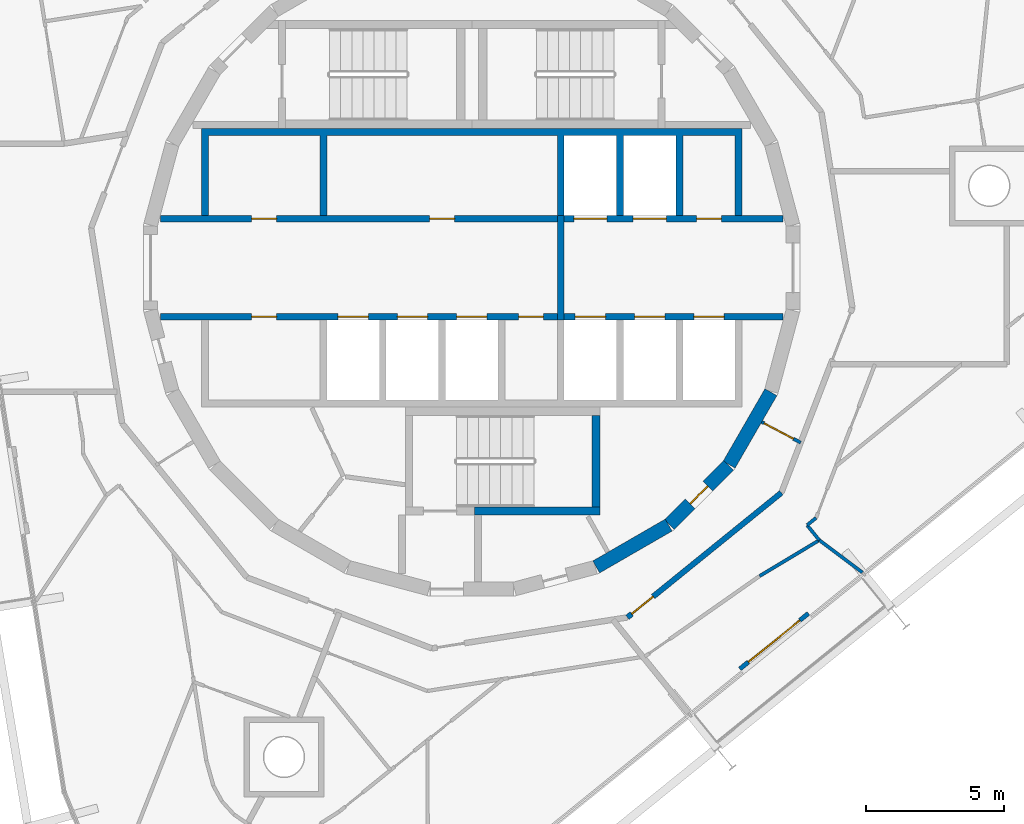
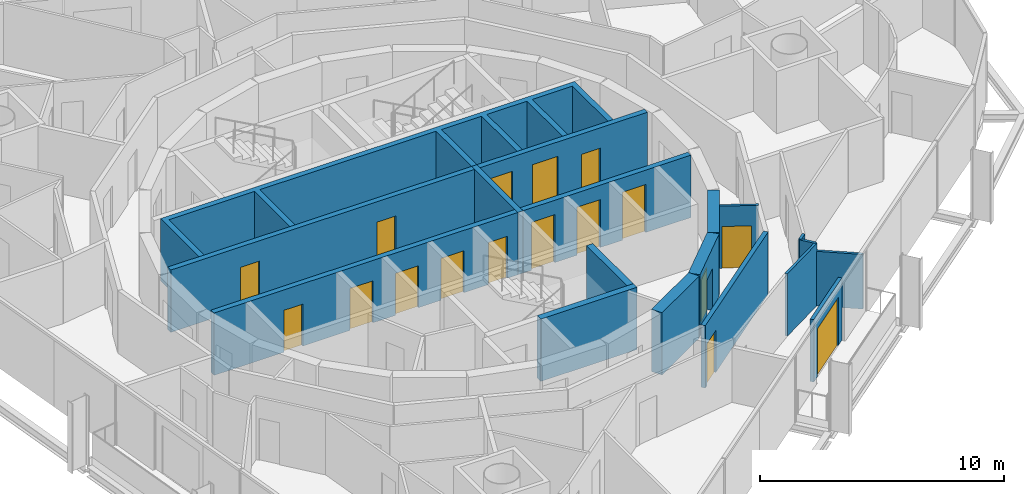
# One storey, part 13 of 18: 18 walls, 17 doors, 17 openings.
"""IFC4 building model written with IfcOpenShell, lengths in metres."""

from ifc_helpers import new_model, si_unit, direction, frame, frame_2d, origin, place, context, subcontext, project, spatial, polyline, rectangle, outline, extrude, material, layer, layer_set, type_object, element, fill, save


model = new_model("IFC4")

# Units and contexts
model_context = context("Model", 3, precision=1e-05, world=origin(), true_north=direction((0.0, 1.0)))
body_context = subcontext(model_context, "Body", "Model", "MODEL_VIEW")
ifc_project = project(units=[si_unit("LENGTHUNIT", "METRE"), si_unit("AREAUNIT", "SQUARE_METRE"), si_unit("VOLUMEUNIT", "CUBIC_METRE"), si_unit("PLANEANGLEUNIT", "RADIAN"), si_unit("MASSUNIT", "GRAM", prefix="KILO")], contexts=[model_context])

# Site, building, storey
site_placement = place(None, origin())
site = spatial("IfcSite", under=ifc_project, at=site_placement, CompositionType="ELEMENT")
building_placement = place(site_placement, origin())
building = spatial("IfcBuilding", under=site, at=building_placement, Name="Spindle Arch Residences", CompositionType="ELEMENT")
storey_placement = place(building_placement, frame((0.0, 0.0, 280.89990234375)))
storey = spatial("IfcBuildingStorey", under=building, at=storey_placement, Name="L72", CompositionType="ELEMENT", Elevation=280.89990234375)

# Wall
ifc_material_1 = material(Name="Concrete C50/60", Category="concrete")
ifc_layer_1 = layer(ifc_material_1, 0.5)
ifc_layer_set_1 = layer_set([ifc_layer_1], Name="Core outline wall 500")
wall_type_1 = type_object("IfcWallType", Name="Core outline wall 500", PredefinedType="SHEAR", material=ifc_layer_set_1)
wall_1_placement = place(storey_placement, frame((4.510498046875, -10.84521484375, 0.0), z_axis=(0.0, 0.0, 1.0), x_axis=(0.865975092491, 0.500087131594, 0.0)))
element("IfcWall", 1, at=wall_1_placement, inside=storey, type_object=wall_type_1, Name="Core outline wall 2", PredefinedType="SHEAR", context=body_context, shape_type="SweptSolid", body=[
    extrude(rectangle(XDim=3.03271484375, YDim=0.5, at=frame_2d((1.516357421875, 0.0))), origin(), (0.0, 0.0, 1.0), 3.1201171875),
])

# Wall, opening, door
wall_2_placement = place(storey_placement, frame((7.163818359375, -9.30810546875, 0.0), z_axis=(0.0, 0.0, 1.0), x_axis=(0.707106781187, 0.707106781187, 0.0)))
wall_2 = element("IfcWall", 2, at=wall_2_placement, inside=storey, type_object=wall_type_1, Name="Core outline wall 3", PredefinedType="SHEAR", context=body_context, shape_type="SweptSolid", body=[
    extrude(rectangle(XDim=3.032470703125, YDim=0.5, at=frame_2d((1.51611328125, 0.0))), origin(), (0.0, 0.0, 1.0), 3.1201171875),
])
opening_1_placement = place(wall_2_placement, frame((1.06640625, 0.0, 0.0)))
opening_1 = element("IfcOpeningElement", 3, at=opening_1_placement, cuts=wall_2, Name="Opening R7B1-WD08", PredefinedType="OPENING", context=body_context, shape_type="SweptSolid", body=[
    extrude(rectangle(XDim=0.89990234375, YDim=2.10009765625, at=frame_2d((0.449951171875, 1.050048828125))), frame((0.0, 0.260009765625, 0.0), z_axis=(0.0, -1.0, 0.0), x_axis=(1.0, 0.0, 0.0)), (0.0, 0.0, 1.0), 0.52001953125),
])
ifc_material_2 = material(Name="Steel, fire-resisting door", Category="steel")
door_type_1 = type_object("IfcDoorType", Name="Service room door 900x2100", OperationType="SINGLE_SWING_LEFT", PredefinedType="DOOR", material=ifc_material_2)
door_1_placement = place(opening_1_placement, origin())
door_1 = element("IfcDoor", 4, at=door_1_placement, inside=storey, type_object=door_type_1, Name="Service room door R7B1-WD08", OperationType="SINGLE_SWING_RIGHT", OverallHeight=2.10009765625, OverallWidth=0.89990234375, PredefinedType="DOOR", context=body_context, shape_type="SweptSolid", body=[
    extrude(rectangle(XDim=0.89990234375, YDim=2.10009765625, at=frame_2d((0.449951171875, 1.050048828125))), frame((0.0, 0.02490234375, 0.0), z_axis=(0.0, -1.0, 0.0), x_axis=(1.0, 0.0, 0.0)), (0.0, 0.0, 1.0), 0.050048828125),
])
fill(opening_1, door_1)

# Wall
wall_3_placement = place(storey_placement, frame((9.32861328125, -7.13671875, 0.0), z_axis=(0.0, 0.0, 1.0), x_axis=(0.500087131594, 0.865975092491, 0.0)))
element("IfcWall", 5, at=wall_3_placement, inside=storey, type_object=wall_type_1, Name="Core outline wall 4", PredefinedType="SHEAR", context=body_context, shape_type="SweptSolid", body=[
    extrude(rectangle(XDim=3.03271484375, YDim=0.5, at=frame_2d((1.516357421875, 0.0))), origin(), (0.0, 0.0, 1.0), 3.1201171875),
])

# Wall, opening, door
ifc_material_3 = material(Name="Plasterboard on steel studs", Category="steel")
ifc_layer_2 = layer(ifc_material_3, 0.1201171875)
ifc_layer_set_2 = layer_set([ifc_layer_2], Name="Corridor division wall 120")
wall_type_2 = type_object("IfcWallType", Name="Corridor division wall 120", PredefinedType="PARTITIONING", material=ifc_layer_set_2)
wall_4_placement = place(storey_placement, frame((10.510986328125, -5.5888671875, 0.0), z_axis=(0.0, 0.0, 1.0), x_axis=(0.882983002821, -0.469404960273, 0.0)))
wall_4 = element("IfcWall", 6, at=wall_4_placement, inside=storey, type_object=wall_type_2, Name="Corridor division wall R7B1-W002", PredefinedType="PARTITIONING", context=body_context, shape_type="SweptSolid", body=[
    extrude(rectangle(XDim=1.59619140625, YDim=0.1201171875, at=frame_2d((0.798095703125, 0.0))), origin(), (0.0, 0.0, 1.0), 3.1201171875),
])
opening_2_placement = place(wall_4_placement, frame((0.10009765625, 0.0, 0.0)))
opening_2 = element("IfcOpeningElement", 7, at=opening_2_placement, cuts=wall_4, Name="Opening R7B1-CD02", PredefinedType="OPENING", context=body_context, shape_type="SweptSolid", body=[
    extrude(rectangle(XDim=1.199951171875, YDim=2.10009765625, at=frame_2d((0.60009765625, 1.050048828125))), frame((0.0, 0.070068359375, 0.0), z_axis=(0.0, -1.0, 0.0), x_axis=(1.0, 0.0, 0.0)), (0.0, 0.0, 1.0), 0.14013671875),
])
ifc_material_4 = material(Name="Steel, fire-resisting door", Category="steel")
door_type_2 = type_object("IfcDoorType", Name="Corridor division door 1200x2100", OperationType="NOTDEFINED", PredefinedType="DOOR", material=ifc_material_4)
door_2_placement = place(opening_2_placement, origin())
door_2 = element("IfcDoor", 8, at=door_2_placement, inside=storey, type_object=door_type_2, Name="Corridor division door R7B1-CD02", OperationType="DOUBLE_DOOR_SINGLE_SWING", OverallHeight=2.10009765625, OverallWidth=1.199951171875, PredefinedType="DOOR", context=body_context, shape_type="SweptSolid", body=[
    extrude(rectangle(XDim=1.199951171875, YDim=2.10009765625, at=frame_2d((0.60009765625, 1.050048828125))), frame((0.0, 0.02490234375, 0.0), z_axis=(0.0, -1.0, 0.0), x_axis=(1.0, 0.0, 0.0)), (0.0, 0.0, 1.0), 0.050048828125),
])
fill(opening_2, door_2)

ifc_material_5 = material(Name="Calcium silicate block, plastered")
ifc_layer_3 = layer(ifc_material_5, 0.199951171875)
ifc_layer_set_3 = layer_set([ifc_layer_3], Name="Corridor wall 200")
wall_type_3 = type_object("IfcWallType", Name="Corridor wall 200", PredefinedType="STANDARD", material=ifc_layer_set_3)
wall_5_placement = place(storey_placement, frame((5.642578125, -12.67333984375, 0.0), z_axis=(0.0, 0.0, 1.0), x_axis=(0.777160148113, 0.629302871585, 0.0)))
wall_5 = element("IfcWall", 9, at=wall_5_placement, inside=storey, type_object=wall_type_3, Name="Corridor wall R7B1-W015", PredefinedType="STANDARD", context=body_context, shape_type="SweptSolid", body=[
    extrude(rectangle(XDim=7.180908203125, YDim=0.199951171875, at=frame_2d((3.59033203125, 0.0))), origin(), (0.0, 0.0, 1.0), 3.1201171875),
])
opening_3_placement = place(wall_5_placement, frame((0.199951171875, 0.0, 0.0)))
opening_3 = element("IfcOpeningElement", 10, at=opening_3_placement, cuts=wall_5, Name="Opening R7B1-FD06", PredefinedType="OPENING", context=body_context, shape_type="SweptSolid", body=[
    extrude(rectangle(XDim=1.0, YDim=2.10009765625, at=frame_2d((0.5, 1.050048828125))), frame((0.0, 0.10986328125, 0.0), z_axis=(0.0, -1.0, 0.0), x_axis=(1.0, 0.0, 0.0)), (0.0, 0.0, 1.0), 0.219970703125),
])
ifc_material_6 = material(Name="Timber, fire-resisting door set", Category="wood")
door_type_3 = type_object("IfcDoorType", Name="Flat entrance door 1000x2100", OperationType="NOTDEFINED", PredefinedType="DOOR", material=ifc_material_6)
door_3_placement = place(opening_3_placement, origin())
door_3 = element("IfcDoor", 11, at=door_3_placement, inside=storey, type_object=door_type_3, Name="Flat entrance door R7B1-FD06", OperationType="SINGLE_SWING_LEFT", OverallHeight=2.10009765625, OverallWidth=1.0, PredefinedType="DOOR", context=body_context, shape_type="SweptSolid", body=[
    extrude(rectangle(XDim=1.0, YDim=2.10009765625, at=frame_2d((0.5, 1.050048828125))), frame((0.0, 0.02490234375, 0.0), z_axis=(0.0, -1.0, 0.0), x_axis=(1.0, 0.0, 0.0)), (0.0, 0.0, 1.0), 0.050048828125),
])
fill(opening_3, door_3)

# Wall, openings, doors
ifc_material_7 = material(Name="Concrete C40/50", Category="concrete")
ifc_layer_4 = layer(ifc_material_7, 0.25)
ifc_layer_set_4 = layer_set([ifc_layer_4], Name="Fire-lift lobby wall 250")
wall_type_4 = type_object("IfcWallType", Name="Fire-lift lobby wall 250", PredefinedType="SHEAR", material=ifc_layer_set_4)
wall_6_placement = place(storey_placement, frame((3.35009765625, 1.77490234375, 0.0), z_axis=(0.0, 0.0, 1.0), x_axis=(1.0, 0.0, 0.0)))
wall_6 = element("IfcWall", 12, at=wall_6_placement, inside=storey, type_object=wall_type_4, Name="Lift shaft front wall NE", PredefinedType="SHEAR", context=body_context, shape_type="SweptSolid", body=[
    extrude(rectangle(XDim=7.929931640625, YDim=0.25, at=frame_2d((3.96484375, 0.0))), origin(), (0.0, 0.0, 1.0), 3.1201171875),
])
opening_4_placement = place(wall_6_placement, frame((0.35009765625, 0.0, 0.0)))
opening_4 = element("IfcOpeningElement", 13, at=opening_4_placement, cuts=wall_6, Name="Opening R7B1-SLD01", PredefinedType="OPENING", context=body_context, shape_type="SweptSolid", body=[
    extrude(rectangle(XDim=1.199951171875, YDim=2.39990234375, at=frame_2d((0.60009765625, 1.199951171875))), frame((0.0, 0.135009765625, 0.0), z_axis=(0.0, -1.0, 0.0), x_axis=(1.0, 0.0, 0.0)), (0.0, 0.0, 1.0), 0.27001953125),
])
opening_5_placement = place(wall_6_placement, frame((2.5, 0.0, 0.0)))
opening_5 = element("IfcOpeningElement", 14, at=opening_5_placement, cuts=wall_6, Name="Opening R7B1-SLD02", PredefinedType="OPENING", context=body_context, shape_type="SweptSolid", body=[
    extrude(rectangle(XDim=1.199951171875, YDim=2.39990234375, at=frame_2d((0.60009765625, 1.199951171875))), frame((0.0, 0.135009765625, 0.0), z_axis=(0.0, -1.0, 0.0), x_axis=(1.0, 0.0, 0.0)), (0.0, 0.0, 1.0), 0.27001953125),
])
opening_6_placement = place(wall_6_placement, frame((4.800048828125, 0.0, 0.0)))
opening_6 = element("IfcOpeningElement", 15, at=opening_6_placement, cuts=wall_6, Name="Opening R7B1-WD03", PredefinedType="OPENING", context=body_context, shape_type="SweptSolid", body=[
    extrude(rectangle(XDim=0.89990234375, YDim=2.10009765625, at=frame_2d((0.449951171875, 1.050048828125))), frame((0.0, 0.135009765625, 0.0), z_axis=(0.0, -1.0, 0.0), x_axis=(1.0, 0.0, 0.0)), (0.0, 0.0, 1.0), 0.27001953125),
])
ifc_material_8 = material(Name="Steel, fire-resisting landing door", Category="steel")
door_type_4 = type_object("IfcDoorType", Name="Service lift landing door 1200x2400", OperationType="DOUBLE_DOOR_SLIDING", PredefinedType="DOOR", material=ifc_material_8)
door_4_placement = place(opening_4_placement, origin())
door_4 = element("IfcDoor", 16, at=door_4_placement, inside=storey, type_object=door_type_4, Name="Service lift landing door R7B1-SLD01", OperationType="DOUBLE_DOOR_SLIDING", OverallHeight=2.39990234375, OverallWidth=1.199951171875, PredefinedType="DOOR", context=body_context, shape_type="SweptSolid", body=[
    extrude(rectangle(XDim=1.199951171875, YDim=2.39990234375, at=frame_2d((0.60009765625, 1.199951171875))), frame((0.0, 0.02490234375, 0.0), z_axis=(0.0, -1.0, 0.0), x_axis=(1.0, 0.0, 0.0)), (0.0, 0.0, 1.0), 0.050048828125),
])
fill(opening_4, door_4)
door_5_placement = place(opening_5_placement, origin())
door_5 = element("IfcDoor", 17, at=door_5_placement, inside=storey, type_object=door_type_4, Name="Service lift landing door R7B1-SLD02", OperationType="DOUBLE_DOOR_SLIDING", OverallHeight=2.39990234375, OverallWidth=1.199951171875, PredefinedType="DOOR", context=body_context, shape_type="SweptSolid", body=[
    extrude(rectangle(XDim=1.199951171875, YDim=2.39990234375, at=frame_2d((0.60009765625, 1.199951171875))), frame((0.0, 0.02490234375, 0.0), z_axis=(0.0, -1.0, 0.0), x_axis=(1.0, 0.0, 0.0)), (0.0, 0.0, 1.0), 0.050048828125),
])
fill(opening_5, door_5)
door_6_placement = place(opening_6_placement, origin())
door_6 = element("IfcDoor", 18, at=door_6_placement, inside=storey, type_object=door_type_1, Name="Service room door R7B1-WD03", OperationType="SINGLE_SWING_LEFT", OverallHeight=2.10009765625, OverallWidth=0.89990234375, PredefinedType="DOOR", context=body_context, shape_type="SweptSolid", body=[
    extrude(rectangle(XDim=0.89990234375, YDim=2.10009765625, at=frame_2d((0.449951171875, 1.050048828125))), frame((0.0, 0.02490234375, 0.0), z_axis=(0.0, -1.0, 0.0), x_axis=(1.0, 0.0, 0.0)), (0.0, 0.0, 1.0), 0.050048828125),
])
fill(opening_6, door_6)

# Wall
wall_7_placement = place(storey_placement, frame((3.22509765625, -1.89990234375, 0.0), z_axis=(0.0, 0.0, 1.0), x_axis=(0.0, 1.0, 0.0)))
element("IfcWall", 19, at=wall_7_placement, inside=storey, type_object=wall_type_4, Name="Fire-fighting lobby partition", PredefinedType="SHEAR", context=body_context, shape_type="SweptSolid", body=[
    extrude(rectangle(XDim=3.7998046875, YDim=0.25, at=frame_2d((1.89990234375, 0.0))), origin(), (0.0, 0.0, 1.0), 3.1201171875),
])

# Wall, openings, doors
ifc_material_9 = material(Name="Concrete C50/60", Category="concrete")
ifc_layer_5 = layer(ifc_material_9, 0.25)
ifc_layer_set_5 = layer_set([ifc_layer_5], Name="Fire-lift shaft wall 250")
wall_type_5 = type_object("IfcWallType", Name="Fire-lift shaft wall 250", PredefinedType="SHEAR", material=ifc_layer_set_5)
wall_8_placement = place(storey_placement, frame((3.35009765625, -1.77490234375, 0.0), z_axis=(0.0, 0.0, 1.0), x_axis=(1.0, 0.0, 0.0)))
wall_8 = element("IfcWall", 20, at=wall_8_placement, inside=storey, type_object=wall_type_5, Name="Lift shaft front wall SE", PredefinedType="SHEAR", context=body_context, shape_type="SweptSolid", body=[
    extrude(rectangle(XDim=7.929931640625, YDim=0.25, at=frame_2d((3.96484375, 0.0))), origin(), (0.0, 0.0, 1.0), 3.1201171875),
])
opening_7_placement = place(wall_8_placement, frame((0.39990234375, 0.0, 0.0)))
opening_7 = element("IfcOpeningElement", 21, at=opening_7_placement, cuts=wall_8, Name="Opening R7B1-FLD01", PredefinedType="OPENING", context=body_context, shape_type="SweptSolid", body=[
    extrude(rectangle(XDim=1.10009765625, YDim=2.39990234375, at=frame_2d((0.550048828125, 1.199951171875))), frame((0.0, 0.135009765625, 0.0), z_axis=(0.0, -1.0, 0.0), x_axis=(1.0, 0.0, 0.0)), (0.0, 0.0, 1.0), 0.27001953125),
])
opening_8_placement = place(wall_8_placement, frame((2.550048828125, 0.0, 0.0)))
opening_8 = element("IfcOpeningElement", 22, at=opening_8_placement, cuts=wall_8, Name="Opening R7B1-FLD02", PredefinedType="OPENING", context=body_context, shape_type="SweptSolid", body=[
    extrude(rectangle(XDim=1.10009765625, YDim=2.39990234375, at=frame_2d((0.550048828125, 1.199951171875))), frame((0.0, 0.135009765625, 0.0), z_axis=(0.0, -1.0, 0.0), x_axis=(1.0, 0.0, 0.0)), (0.0, 0.0, 1.0), 0.27001953125),
])
opening_9_placement = place(wall_8_placement, frame((4.699951171875, 0.0, 0.0)))
opening_9 = element("IfcOpeningElement", 23, at=opening_9_placement, cuts=wall_8, Name="Opening R7B1-FLD03", PredefinedType="OPENING", context=body_context, shape_type="SweptSolid", body=[
    extrude(rectangle(XDim=1.10009765625, YDim=2.39990234375, at=frame_2d((0.550048828125, 1.199951171875))), frame((0.0, 0.135009765625, 0.0), z_axis=(0.0, -1.0, 0.0), x_axis=(1.0, 0.0, 0.0)), (0.0, 0.0, 1.0), 0.27001953125),
])
ifc_material_10 = material(Name="Steel, fire-resisting landing door", Category="steel")
door_type_5 = type_object("IfcDoorType", Name="Fire-fighting lift landing door 1100x2400", OperationType="DOUBLE_DOOR_SLIDING", PredefinedType="DOOR", material=ifc_material_10)
door_7_placement = place(opening_7_placement, origin())
door_7 = element("IfcDoor", 24, at=door_7_placement, inside=storey, type_object=door_type_5, Name="Fire-fighting lift landing door R7B1-FLD01", OperationType="DOUBLE_DOOR_SLIDING", OverallHeight=2.39990234375, OverallWidth=1.10009765625, PredefinedType="DOOR", context=body_context, shape_type="SweptSolid", body=[
    extrude(rectangle(XDim=1.10009765625, YDim=2.39990234375, at=frame_2d((0.550048828125, 1.199951171875))), frame((0.0, 0.02490234375, 0.0), z_axis=(0.0, -1.0, 0.0), x_axis=(1.0, 0.0, 0.0)), (0.0, 0.0, 1.0), 0.050048828125),
])
fill(opening_7, door_7)
door_8_placement = place(opening_8_placement, origin())
door_8 = element("IfcDoor", 25, at=door_8_placement, inside=storey, type_object=door_type_5, Name="Fire-fighting lift landing door R7B1-FLD02", OperationType="DOUBLE_DOOR_SLIDING", OverallHeight=2.39990234375, OverallWidth=1.10009765625, PredefinedType="DOOR", context=body_context, shape_type="SweptSolid", body=[
    extrude(rectangle(XDim=1.10009765625, YDim=2.39990234375, at=frame_2d((0.550048828125, 1.199951171875))), frame((0.0, 0.02490234375, 0.0), z_axis=(0.0, -1.0, 0.0), x_axis=(1.0, 0.0, 0.0)), (0.0, 0.0, 1.0), 0.050048828125),
])
fill(opening_8, door_8)
door_9_placement = place(opening_9_placement, origin())
door_9 = element("IfcDoor", 26, at=door_9_placement, inside=storey, type_object=door_type_5, Name="Fire-fighting lift landing door R7B1-FLD03", OperationType="DOUBLE_DOOR_SLIDING", OverallHeight=2.39990234375, OverallWidth=1.10009765625, PredefinedType="DOOR", context=body_context, shape_type="SweptSolid", body=[
    extrude(rectangle(XDim=1.10009765625, YDim=2.39990234375, at=frame_2d((0.550048828125, 1.199951171875))), frame((0.0, 0.02490234375, 0.0), z_axis=(0.0, -1.0, 0.0), x_axis=(1.0, 0.0, 0.0)), (0.0, 0.0, 1.0), 0.050048828125),
])
fill(opening_9, door_9)

# Walls
ifc_material_11 = material(Name="Plasterboard on steel studs", Category="steel")
ifc_layer_6 = layer(ifc_material_11, 0.1201171875)
ifc_layer_set_6 = layer_set([ifc_layer_6], Name="Flat partition 120")
wall_type_6 = type_object("IfcWallType", Name="Flat partition 120", PredefinedType="PARTITIONING", material=ifc_layer_set_6)
wall_9_placement = place(storey_placement, frame((10.43359375, -11.17529296875, 0.0), z_axis=(0.0, 0.0, 1.0), x_axis=(0.857117202926, 0.515121442427, 0.0)))
element("IfcWall", 27, at=wall_9_placement, inside=storey, type_object=wall_type_6, Name="Flat partition R7B1-W093", PredefinedType="PARTITIONING", context=body_context, shape_type="SweptSolid", body=[
    extrude(rectangle(XDim=2.524169921875, YDim=0.1201171875, at=frame_2d((1.26220703125, 0.0))), origin(), (0.0, 0.0, 1.0), 3.1201171875),
])
wall_10_placement = place(storey_placement, frame((12.59716796875, -9.875, 0.0), z_axis=(0.0, 0.0, 1.0), x_axis=(-0.629138198612, 0.77729346263, 0.0)))
element("IfcWall", 28, at=wall_10_placement, inside=storey, type_object=wall_type_6, Name="Flat partition R7B1-W094", PredefinedType="PARTITIONING", context=body_context, shape_type="SweptSolid", body=[
    extrude(rectangle(XDim=0.701904296875, YDim=0.1201171875, at=frame_2d((0.35107421875, 0.0))), origin(), (0.0, 0.0, 1.0), 3.1201171875),
])
wall_11_placement = place(storey_placement, frame((12.155517578125, -9.329345703125, 0.0), z_axis=(0.0, 0.0, 1.0), x_axis=(0.777026645941, 0.629467704888, 0.0)))
element("IfcWall", 29, at=wall_11_placement, inside=storey, type_object=wall_type_6, Name="Flat partition R7B1-W095", PredefinedType="PARTITIONING", context=body_context, shape_type="SweptSolid", body=[
    extrude(rectangle(XDim=0.4169921875, YDim=0.1201171875, at=frame_2d((0.20849609375, 0.0))), origin(), (0.0, 0.0, 1.0), 3.1201171875),
])
ifc_material_12 = material(Name="Plasterboard on steel studs", Category="steel")
ifc_layer_7 = layer(ifc_material_12, 0.1201171875)
ifc_layer_set_7 = layer_set([ifc_layer_7], Name="Flat partition 120 under beam 2730")
wall_type_7 = type_object("IfcWallType", Name="Flat partition 120 under beam 2730", PredefinedType="PARTITIONING", material=ifc_layer_set_7)
wall_12_placement = place(storey_placement, frame((14.161376953125, -11.04638671875, 0.0), z_axis=(0.0, 0.0, 1.0), x_axis=(-0.800434550749, 0.599420161463, 0.0)))
element("IfcWall", 30, at=wall_12_placement, inside=storey, type_object=wall_type_7, Name="Flat partition R7B1-W104", PredefinedType="PARTITIONING", context=body_context, shape_type="SweptSolid", body=[
    extrude(rectangle(XDim=1.9541015625, YDim=0.1201171875, at=frame_2d((0.97705078125, 0.0))), origin(), (0.0, 0.0, 1.0), 2.72998046875),
])

# Wall, opening, door
ifc_material_13 = material(Name="Non-combustible mineral wool insulated aluminium faced external wall (K0)", Category="aluminium")
ifc_layer_8 = layer(ifc_material_13, 0.159912109375)
ifc_layer_set_8 = layer_set([ifc_layer_8], Name="Insulated external wall panel 160")
wall_type_8 = type_object("IfcWallType", Name="Insulated external wall panel 160", PredefinedType="STANDARD", material=ifc_layer_set_8)
wall_13_placement = place(storey_placement, frame((9.71728515625, -14.542236328125, 0.0), z_axis=(0.0, 0.0, 1.0), x_axis=(0.777125818, 0.629345265333, 0.0)))
wall_13 = element("IfcWall", 31, at=wall_13_placement, inside=storey, type_object=wall_type_8, Name="External wall L72 bay 20", PredefinedType="STANDARD", context=body_context, shape_type="SweptSolid", body=[
    extrude(rectangle(XDim=3.199951171875, YDim=0.159912109375, at=frame_2d((1.60009765625, 0.0))), origin(), (0.0, 0.0, 1.0), 3.1201171875),
])
opening_10_placement = place(wall_13_placement, frame((0.39990234375, 0.0, 0.0)))
opening_10 = element("IfcOpeningElement", 32, at=opening_10_placement, cuts=wall_13, Name="Opening BD20", PredefinedType="OPENING", context=body_context, shape_type="SweptSolid", body=[
    extrude(rectangle(XDim=2.39990234375, YDim=2.39990234375, at=frame_2d((1.199951171875, 1.199951171875))), frame((0.0, 0.08984375, 0.0), z_axis=(0.0, -1.0, 0.0), x_axis=(1.0, 0.0, 0.0)), (0.0, 0.0, 1.0), 0.179931640625),
])
ifc_material_14 = material(Name="Bronze aluminium frame, tinted double glazing", Category="aluminium")
door_type_6 = type_object("IfcDoorType", Name="Sliding glazed balcony door 2400x2400", OperationType="DOUBLE_DOOR_SLIDING", PredefinedType="DOOR", material=ifc_material_14)
door_10_placement = place(opening_10_placement, origin())
door_10 = element("IfcDoor", 33, at=door_10_placement, inside=storey, type_object=door_type_6, Name="Balcony door BD20", OperationType="DOUBLE_DOOR_SLIDING", OverallHeight=2.39990234375, OverallWidth=2.39990234375, PredefinedType="DOOR", context=body_context, shape_type="SweptSolid", body=[
    extrude(rectangle(XDim=2.39990234375, YDim=2.39990234375, at=frame_2d((1.199951171875, 1.199951171875))), frame((0.0, 0.02490234375, 0.0), z_axis=(0.0, -1.0, 0.0), x_axis=(1.0, 0.0, 0.0)), (0.0, 0.0, 1.0), 0.050048828125),
])
fill(opening_10, door_10)

# Wall, openings, doors
ifc_material_15 = material(Name="Concrete C50/60", Category="concrete")
ifc_layer_9 = layer(ifc_material_15, 0.25)
ifc_layer_set_9 = layer_set([ifc_layer_9], Name="Lift shaft wall 250")
wall_type_9 = type_object("IfcWallType", Name="Lift shaft wall 250", PredefinedType="SHEAR", material=ifc_layer_set_9)
wall_14_placement = place(storey_placement, frame((-11.280029296875, 1.77490234375, 0.0), z_axis=(0.0, 0.0, 1.0), x_axis=(1.0, 0.0, 0.0)))
wall_14 = element("IfcWall", 34, at=wall_14_placement, inside=storey, type_object=wall_type_9, Name="Lift shaft front wall NW", PredefinedType="SHEAR", context=body_context, shape_type="SweptSolid", body=[
    extrude(rectangle(XDim=14.380126953125, YDim=0.25, at=frame_2d((7.18994140625, 0.0))), origin(), (0.0, 0.0, 1.0), 3.1201171875),
])
opening_11_placement = place(wall_14_placement, frame((3.304931640625, 0.0, 0.0)))
opening_11 = element("IfcOpeningElement", 35, at=opening_11_placement, cuts=wall_14, Name="Opening R7B1-WD01", PredefinedType="OPENING", context=body_context, shape_type="SweptSolid", body=[
    extrude(rectangle(XDim=0.89990234375, YDim=2.10009765625, at=frame_2d((0.449951171875, 1.050048828125))), frame((0.0, 0.135009765625, 0.0), z_axis=(0.0, -1.0, 0.0), x_axis=(1.0, 0.0, 0.0)), (0.0, 0.0, 1.0), 0.27001953125),
])
opening_12_placement = place(wall_14_placement, frame((9.7548828125, 0.0, 0.0)))
opening_12 = element("IfcOpeningElement", 36, at=opening_12_placement, cuts=wall_14, Name="Opening R7B1-WD02", PredefinedType="OPENING", context=body_context, shape_type="SweptSolid", body=[
    extrude(rectangle(XDim=0.89990234375, YDim=2.10009765625, at=frame_2d((0.449951171875, 1.050048828125))), frame((0.0, 0.135009765625, 0.0), z_axis=(0.0, -1.0, 0.0), x_axis=(1.0, 0.0, 0.0)), (0.0, 0.0, 1.0), 0.27001953125),
])
door_11_placement = place(opening_11_placement, origin())
door_11 = element("IfcDoor", 37, at=door_11_placement, inside=storey, type_object=door_type_1, Name="Service room door R7B1-WD01", OperationType="SINGLE_SWING_LEFT", OverallHeight=2.10009765625, OverallWidth=0.89990234375, PredefinedType="DOOR", context=body_context, shape_type="SweptSolid", body=[
    extrude(rectangle(XDim=0.89990234375, YDim=2.10009765625, at=frame_2d((0.449951171875, 1.050048828125))), frame((0.0, 0.02490234375, 0.0), z_axis=(0.0, -1.0, 0.0), x_axis=(1.0, 0.0, 0.0)), (0.0, 0.0, 1.0), 0.050048828125),
])
fill(opening_11, door_11)
door_12_placement = place(opening_12_placement, origin())
door_12 = element("IfcDoor", 38, at=door_12_placement, inside=storey, type_object=door_type_1, Name="Service room door R7B1-WD02", OperationType="SINGLE_SWING_RIGHT", OverallHeight=2.10009765625, OverallWidth=0.89990234375, PredefinedType="DOOR", context=body_context, shape_type="SweptSolid", body=[
    extrude(rectangle(XDim=0.89990234375, YDim=2.10009765625, at=frame_2d((0.449951171875, 1.050048828125))), frame((0.0, 0.02490234375, 0.0), z_axis=(0.0, -1.0, 0.0), x_axis=(1.0, 0.0, 0.0)), (0.0, 0.0, 1.0), 0.050048828125),
])
fill(opening_12, door_12)

wall_15_placement = place(storey_placement, frame((-11.280029296875, -1.77490234375, 0.0), z_axis=(0.0, 0.0, 1.0), x_axis=(1.0, 0.0, 0.0)))
wall_15 = element("IfcWall", 39, at=wall_15_placement, inside=storey, type_object=wall_type_9, Name="Lift shaft front wall SW", PredefinedType="SHEAR", context=body_context, shape_type="SweptSolid", body=[
    extrude(rectangle(XDim=14.380126953125, YDim=0.25, at=frame_2d((7.18994140625, 0.0))), origin(), (0.0, 0.0, 1.0), 3.1201171875),
])
opening_13_placement = place(wall_15_placement, frame((6.429931640625, 0.0, 0.0)))
opening_13 = element("IfcOpeningElement", 40, at=opening_13_placement, cuts=wall_15, Name="Opening R7B1-LD01", PredefinedType="OPENING", context=body_context, shape_type="SweptSolid", body=[
    extrude(rectangle(XDim=1.10009765625, YDim=2.10009765625, at=frame_2d((0.550048828125, 1.050048828125))), frame((0.0, 0.135009765625, 0.0), z_axis=(0.0, -1.0, 0.0), x_axis=(1.0, 0.0, 0.0)), (0.0, 0.0, 1.0), 0.27001953125),
])
opening_14_placement = place(wall_15_placement, frame((8.580078125, 0.0, 0.0)))
opening_14 = element("IfcOpeningElement", 41, at=opening_14_placement, cuts=wall_15, Name="Opening R7B1-LD02", PredefinedType="OPENING", context=body_context, shape_type="SweptSolid", body=[
    extrude(rectangle(XDim=1.10009765625, YDim=2.10009765625, at=frame_2d((0.550048828125, 1.050048828125))), frame((0.0, 0.135009765625, 0.0), z_axis=(0.0, -1.0, 0.0), x_axis=(1.0, 0.0, 0.0)), (0.0, 0.0, 1.0), 0.27001953125),
])
opening_15_placement = place(wall_15_placement, frame((10.72998046875, 0.0, 0.0)))
opening_15 = element("IfcOpeningElement", 42, at=opening_15_placement, cuts=wall_15, Name="Opening R7B1-LD03", PredefinedType="OPENING", context=body_context, shape_type="SweptSolid", body=[
    extrude(rectangle(XDim=1.10009765625, YDim=2.10009765625, at=frame_2d((0.550048828125, 1.050048828125))), frame((0.0, 0.135009765625, 0.0), z_axis=(0.0, -1.0, 0.0), x_axis=(1.0, 0.0, 0.0)), (0.0, 0.0, 1.0), 0.27001953125),
])
opening_16_placement = place(wall_15_placement, frame((3.304931640625, 0.0, 0.0)))
opening_16 = element("IfcOpeningElement", 43, at=opening_16_placement, cuts=wall_15, Name="Opening R7B1-WD04", PredefinedType="OPENING", context=body_context, shape_type="SweptSolid", body=[
    extrude(rectangle(XDim=0.89990234375, YDim=2.10009765625, at=frame_2d((0.449951171875, 1.050048828125))), frame((0.0, 0.135009765625, 0.0), z_axis=(0.0, -1.0, 0.0), x_axis=(1.0, 0.0, 0.0)), (0.0, 0.0, 1.0), 0.27001953125),
])
opening_17_placement = place(wall_15_placement, frame((12.97998046875, 0.0, 0.0)))
opening_17 = element("IfcOpeningElement", 44, at=opening_17_placement, cuts=wall_15, Name="Opening R7B1-WD05", PredefinedType="OPENING", context=body_context, shape_type="SweptSolid", body=[
    extrude(rectangle(XDim=0.89990234375, YDim=2.10009765625, at=frame_2d((0.449951171875, 1.050048828125))), frame((0.0, 0.135009765625, 0.0), z_axis=(0.0, -1.0, 0.0), x_axis=(1.0, 0.0, 0.0)), (0.0, 0.0, 1.0), 0.27001953125),
])
ifc_material_16 = material(Name="Steel, fire-resisting landing door", Category="steel")
door_type_7 = type_object("IfcDoorType", Name="Lift landing door 1100x2100", OperationType="DOUBLE_DOOR_SLIDING", PredefinedType="DOOR", material=ifc_material_16)
door_13_placement = place(opening_13_placement, origin())
door_13 = element("IfcDoor", 45, at=door_13_placement, inside=storey, type_object=door_type_7, Name="Lift landing door R7B1-LD01", OperationType="DOUBLE_DOOR_SLIDING", OverallHeight=2.10009765625, OverallWidth=1.10009765625, PredefinedType="DOOR", context=body_context, shape_type="SweptSolid", body=[
    extrude(rectangle(XDim=1.10009765625, YDim=2.10009765625, at=frame_2d((0.550048828125, 1.050048828125))), frame((0.0, 0.02490234375, 0.0), z_axis=(0.0, -1.0, 0.0), x_axis=(1.0, 0.0, 0.0)), (0.0, 0.0, 1.0), 0.050048828125),
])
fill(opening_13, door_13)
door_14_placement = place(opening_14_placement, origin())
door_14 = element("IfcDoor", 46, at=door_14_placement, inside=storey, type_object=door_type_7, Name="Lift landing door R7B1-LD02", OperationType="DOUBLE_DOOR_SLIDING", OverallHeight=2.10009765625, OverallWidth=1.10009765625, PredefinedType="DOOR", context=body_context, shape_type="SweptSolid", body=[
    extrude(rectangle(XDim=1.10009765625, YDim=2.10009765625, at=frame_2d((0.550048828125, 1.050048828125))), frame((0.0, 0.02490234375, 0.0), z_axis=(0.0, -1.0, 0.0), x_axis=(1.0, 0.0, 0.0)), (0.0, 0.0, 1.0), 0.050048828125),
])
fill(opening_14, door_14)
door_15_placement = place(opening_15_placement, origin())
door_15 = element("IfcDoor", 47, at=door_15_placement, inside=storey, type_object=door_type_7, Name="Lift landing door R7B1-LD03", OperationType="DOUBLE_DOOR_SLIDING", OverallHeight=2.10009765625, OverallWidth=1.10009765625, PredefinedType="DOOR", context=body_context, shape_type="SweptSolid", body=[
    extrude(rectangle(XDim=1.10009765625, YDim=2.10009765625, at=frame_2d((0.550048828125, 1.050048828125))), frame((0.0, 0.02490234375, 0.0), z_axis=(0.0, -1.0, 0.0), x_axis=(1.0, 0.0, 0.0)), (0.0, 0.0, 1.0), 0.050048828125),
])
fill(opening_15, door_15)
door_16_placement = place(opening_16_placement, origin())
door_16 = element("IfcDoor", 48, at=door_16_placement, inside=storey, type_object=door_type_1, Name="Service room door R7B1-WD04", OperationType="SINGLE_SWING_RIGHT", OverallHeight=2.10009765625, OverallWidth=0.89990234375, PredefinedType="DOOR", context=body_context, shape_type="SweptSolid", body=[
    extrude(rectangle(XDim=0.89990234375, YDim=2.10009765625, at=frame_2d((0.449951171875, 1.050048828125))), frame((0.0, 0.02490234375, 0.0), z_axis=(0.0, -1.0, 0.0), x_axis=(1.0, 0.0, 0.0)), (0.0, 0.0, 1.0), 0.050048828125),
])
fill(opening_16, door_16)
door_17_placement = place(opening_17_placement, origin())
door_17 = element("IfcDoor", 49, at=door_17_placement, inside=storey, type_object=door_type_1, Name="Service room door R7B1-WD05", OperationType="SINGLE_SWING_LEFT", OverallHeight=2.10009765625, OverallWidth=0.89990234375, PredefinedType="DOOR", context=body_context, shape_type="SweptSolid", body=[
    extrude(rectangle(XDim=0.89990234375, YDim=2.10009765625, at=frame_2d((0.449951171875, 1.050048828125))), frame((0.0, 0.02490234375, 0.0), z_axis=(0.0, -1.0, 0.0), x_axis=(1.0, 0.0, 0.0)), (0.0, 0.0, 1.0), 0.050048828125),
])
fill(opening_17, door_17)

# Walls
ifc_material_17 = material(Name="Concrete C50/60", Category="concrete")
wall_type_10 = type_object("IfcWallType", Name="Lift shaft wall profile", PredefinedType="SHEAR", material=ifc_material_17)
wall_16_placement = place(storey_placement, origin())
element("IfcWall", 50, at=wall_16_placement, inside=storey, type_object=wall_type_10, Name="Lift shaft walls N", PredefinedType="SHEAR", context=body_context, shape_type="SweptSolid", body=[
    extrude(outline(polyline([(-9.800048828125, 1.89990234375), (-9.550048828125, 1.89990234375), (-9.550048828125, 4.800048828125), (-5.5, 4.800048828125), (-5.5, 1.89990234375), (-5.25, 1.89990234375), (-5.25, 4.800048828125), (3.10009765625, 4.800048828125), (3.10009765625, 1.89990234375), (3.35009765625, 1.89990234375), (3.35009765625, 4.800048828125), (5.25, 4.800048828125), (5.25, 1.89990234375), (5.5, 1.89990234375), (5.5, 4.800048828125), (7.39990234375, 4.800048828125), (7.39990234375, 1.89990234375), (7.64990234375, 1.89990234375), (7.64990234375, 4.800048828125), (9.550048828125, 4.800048828125), (9.550048828125, 1.89990234375), (9.800048828125, 1.89990234375), (9.800048828125, 4.800048828125), (9.800048828125, 5.050048828125), (-9.800048828125, 5.050048828125), (-9.800048828125, 4.800048828125), (-9.800048828125, 1.89990234375)])), origin(), (0.0, 0.0, 1.0), 3.1201171875),
])
ifc_material_18 = material(Name="Concrete C50/60", Category="concrete")
ifc_layer_10 = layer(ifc_material_18, 0.300048828125)
ifc_layer_set_10 = layer_set([ifc_layer_10], Name="Stair enclosure wall 300")
wall_type_11 = type_object("IfcWallType", Name="Stair enclosure wall 300", PredefinedType="SHEAR", material=ifc_layer_set_10)
wall_17_placement = place(storey_placement, frame((4.5, -8.669921875, 0.0), z_axis=(0.0, 0.0, 1.0), x_axis=(0.0, 1.0, 0.0)))
element("IfcWall", 51, at=wall_17_placement, inside=storey, type_object=wall_type_11, Name="Stair ST-3 enclosure wall E", PredefinedType="SHEAR", context=body_context, shape_type="SweptSolid", body=[
    extrude(rectangle(XDim=3.31982421875, YDim=0.300048828125, at=frame_2d((1.659912109375, 0.0))), origin(), (0.0, 0.0, 1.0), 3.1201171875),
])
wall_18_placement = place(storey_placement, frame((0.10009765625, -8.820068359375, 0.0), z_axis=(0.0, 0.0, 1.0), x_axis=(1.0, 0.0, 0.0)))
element("IfcWall", 52, at=wall_18_placement, inside=storey, type_object=wall_type_11, Name="Stair ST-3 enclosure wall S", PredefinedType="SHEAR", context=body_context, shape_type="SweptSolid", body=[
    extrude(rectangle(XDim=4.5498046875, YDim=0.300048828125, at=frame_2d((2.27490234375, 0.0))), origin(), (0.0, 0.0, 1.0), 3.1201171875),
])

save(model, "model.ifc")
